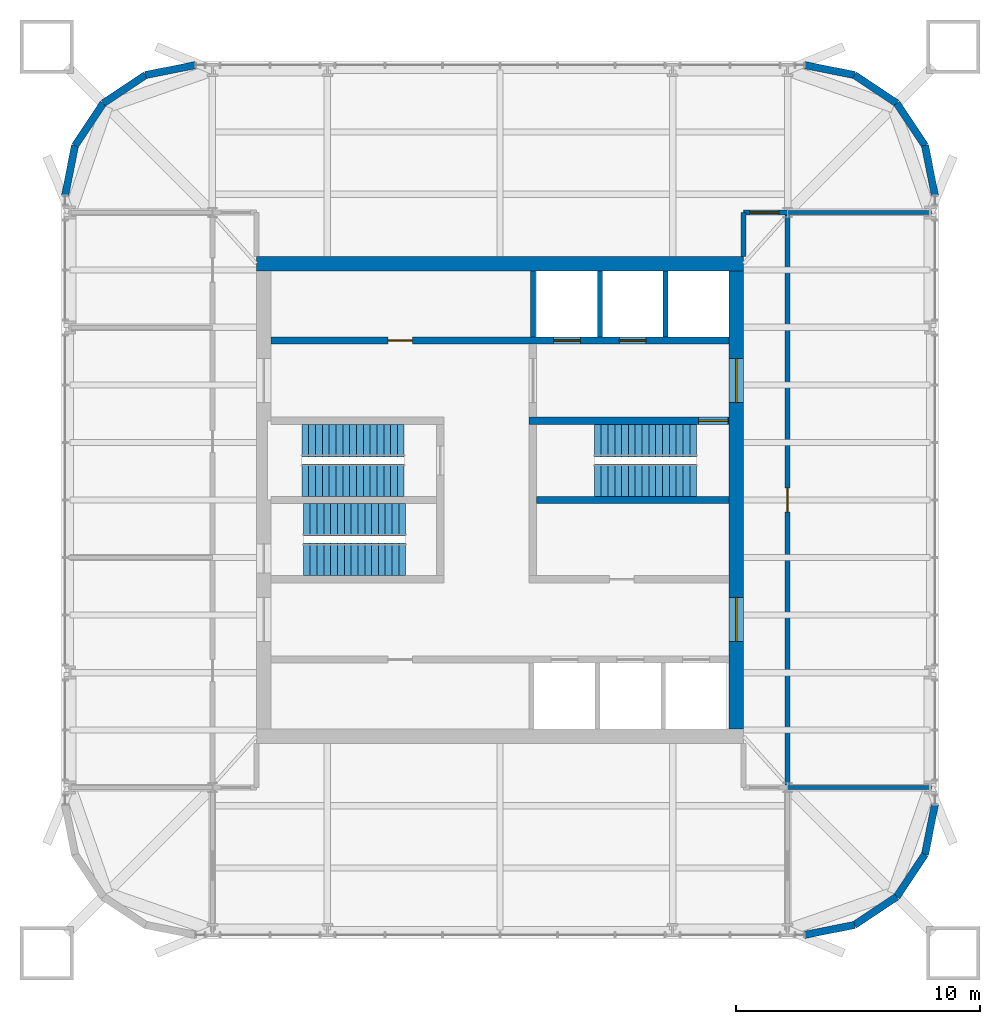
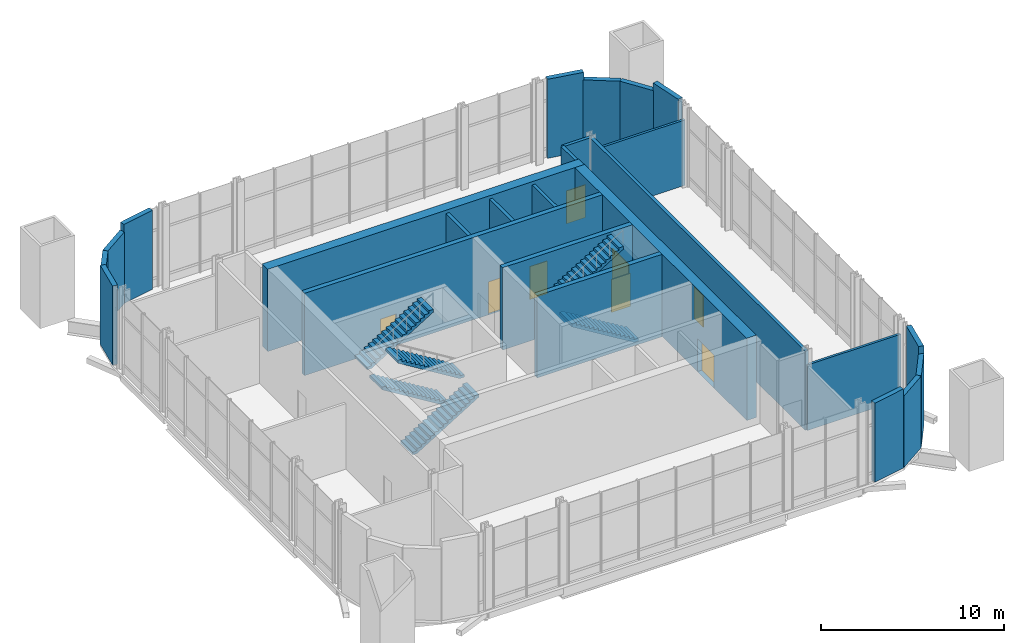
# One storey, part 16 of 17: 25 walls, 8 doors, 6 stair flights, 8 openings, 3 elements without a shape of their own.
"""IFC4 building model written with IfcOpenShell, lengths in metres."""

from ifc_helpers import new_model, si_unit, direction, frame, frame_2d, origin, place, context, subcontext, project, spatial, polyline, rectangle, outline, extrude, material, layer, layer_set, type_object, element, fill, aggregate, save


model = new_model("IFC4")

# Units and contexts
model_context = context("Model", 3, precision=1e-05, world=origin(), true_north=direction((0.0, 1.0)))
body_context = subcontext(model_context, "Body", "Model", "MODEL_VIEW")
ifc_project = project(units=[si_unit("LENGTHUNIT", "METRE"), si_unit("AREAUNIT", "SQUARE_METRE"), si_unit("VOLUMEUNIT", "CUBIC_METRE"), si_unit("PLANEANGLEUNIT", "RADIAN"), si_unit("MASSUNIT", "GRAM", prefix="KILO")], contexts=[model_context])

# Site, building, storey
site_placement = place(None, origin())
site = spatial("IfcSite", under=ifc_project, at=site_placement, CompositionType="ELEMENT")
building_placement = place(site_placement, origin())
building = spatial("IfcBuilding", under=site, at=building_placement, Name="Turquesa Mirador Hotel Tower", CompositionType="ELEMENT")
storey_placement = place(building_placement, frame((0.0, 0.0, 266.699951171875)))
storey = spatial("IfcBuildingStorey", under=building, at=storey_placement, Name="L72", CompositionType="ELEMENT", Elevation=266.699951171875)

# Wall, openings, doors
ifc_material_1 = material(Name="Concrete C50/60", Category="concrete")
ifc_layer_1 = layer(ifc_material_1, 0.300048828125)
ifc_layer_set_1 = layer_set([ifc_layer_1], Name="CORE INNER WALL 300")
wall_type_1 = type_object("IfcWallType", Name="CORE INNER WALL 300", PredefinedType="SHEAR", material=ifc_layer_set_1)
wall_1_placement = place(storey_placement, frame((45.60009765625, 51.550048828125, 0.0), z_axis=(0.0, 0.0, 1.0), x_axis=(1.0, 0.0, 0.0)))
wall_1 = element("IfcWall", 1, at=wall_1_placement, inside=storey, type_object=wall_type_1, Name="Core wall NL", PredefinedType="SHEAR", context=body_context, shape_type="SweptSolid", body=[
    extrude(rectangle(XDim=18.7998046875, YDim=0.300048828125, at=frame_2d((9.39990234375, 0.0))), origin(), (0.0, 0.0, 1.0), 5.5),
])
opening_1_placement = place(wall_1_placement, frame((4.800048828125, 0.0, 0.0)))
opening_1 = element("IfcOpeningElement", 2, at=opening_1_placement, cuts=wall_1, Name="Opening D05", PredefinedType="OPENING", context=body_context, shape_type="SweptSolid", body=[
    extrude(rectangle(XDim=1.0, YDim=2.10009765625, at=frame_2d((0.5, 1.050048828125))), frame((0.0, 0.159912109375, 0.0), z_axis=(0.0, -1.0, 0.0), x_axis=(1.0, 0.0, 0.0)), (0.0, 0.0, 1.0), 0.320068359375),
])
opening_2_placement = place(wall_1_placement, frame((11.60009765625, 0.0, 0.0)))
opening_2 = element("IfcOpeningElement", 3, at=opening_2_placement, cuts=wall_1, Name="Opening LD", PredefinedType="OPENING", context=body_context, shape_type="SweptSolid", body=[
    extrude(rectangle(XDim=1.10009765625, YDim=2.199951171875, at=frame_2d((0.550048828125, 1.10009765625))), frame((0.0, 0.159912109375, 0.0), z_axis=(0.0, -1.0, 0.0), x_axis=(1.0, 0.0, 0.0)), (0.0, 0.0, 1.0), 0.320068359375),
])
opening_3_placement = place(wall_1_placement, frame((14.300048828125, 0.0, 0.0)))
opening_3 = element("IfcOpeningElement", 4, at=opening_3_placement, cuts=wall_1, Name="Opening LD", PredefinedType="OPENING", context=body_context, shape_type="SweptSolid", body=[
    extrude(rectangle(XDim=1.10009765625, YDim=2.199951171875, at=frame_2d((0.550048828125, 1.10009765625))), frame((0.0, 0.159912109375, 0.0), z_axis=(0.0, -1.0, 0.0), x_axis=(1.0, 0.0, 0.0)), (0.0, 0.0, 1.0), 0.320068359375),
])
ifc_material_2 = material(Name="Steel fire door", Category="steel")
door_type_1 = type_object("IfcDoorType", Name="DOOR 1000X2100 SERVICE", OperationType="SINGLE_SWING_LEFT", PredefinedType="DOOR", material=ifc_material_2)
door_1_placement = place(opening_1_placement, origin())
door_1 = element("IfcDoor", 5, at=door_1_placement, inside=storey, type_object=door_type_1, Name="Linen store door", OperationType="SINGLE_SWING_LEFT", OverallHeight=2.10009765625, OverallWidth=1.0, PredefinedType="DOOR", context=body_context, shape_type="SweptSolid", body=[
    extrude(rectangle(XDim=1.0, YDim=2.10009765625, at=frame_2d((0.5, 1.050048828125))), frame((0.0, 0.02490234375, 0.0), z_axis=(0.0, -1.0, 0.0), x_axis=(1.0, 0.0, 0.0)), (0.0, 0.0, 1.0), 0.050048828125),
])
fill(opening_1, door_1)
ifc_material_3 = material(Name="Stainless steel lift landing door", Category="steel")
door_type_2 = type_object("IfcDoorType", Name="LIFT LANDING DOOR 1100X2200", OperationType="SLIDING_TO_LEFT", PredefinedType="DOOR", material=ifc_material_3)
door_2_placement = place(opening_2_placement, origin())
door_2 = element("IfcDoor", 6, at=door_2_placement, inside=storey, type_object=door_type_2, Name="Lift S1 landing door", OperationType="SLIDING_TO_LEFT", OverallHeight=2.199951171875, OverallWidth=1.10009765625, PredefinedType="DOOR", context=body_context, shape_type="SweptSolid", body=[
    extrude(rectangle(XDim=1.10009765625, YDim=2.199951171875, at=frame_2d((0.550048828125, 1.10009765625))), frame((0.0, 0.02490234375, 0.0), z_axis=(0.0, -1.0, 0.0), x_axis=(1.0, 0.0, 0.0)), (0.0, 0.0, 1.0), 0.050048828125),
])
fill(opening_2, door_2)
door_3_placement = place(opening_3_placement, origin())
door_3 = element("IfcDoor", 7, at=door_3_placement, inside=storey, type_object=door_type_2, Name="Lift S2 landing door", OperationType="SLIDING_TO_LEFT", OverallHeight=2.199951171875, OverallWidth=1.10009765625, PredefinedType="DOOR", context=body_context, shape_type="SweptSolid", body=[
    extrude(rectangle(XDim=1.10009765625, YDim=2.199951171875, at=frame_2d((0.550048828125, 1.10009765625))), frame((0.0, 0.02490234375, 0.0), z_axis=(0.0, -1.0, 0.0), x_axis=(1.0, 0.0, 0.0)), (0.0, 0.0, 1.0), 0.050048828125),
])
fill(opening_3, door_3)

# Wall, opening, door
wall_2_placement = place(storey_placement, frame((56.199951171875, 48.25, 0.0), z_axis=(0.0, 0.0, 1.0), x_axis=(1.0, 0.0, 0.0)))
wall_2 = element("IfcWall", 8, at=wall_2_placement, inside=storey, type_object=wall_type_1, Name="Core wall MN-E", PredefinedType="SHEAR", context=body_context, shape_type="SweptSolid", body=[
    extrude(rectangle(XDim=8.199951171875, YDim=0.300048828125, at=frame_2d((4.10009765625, 0.0))), origin(), (0.0, 0.0, 1.0), 5.5),
])
opening_4_placement = place(wall_2_placement, frame((6.949951171875, 0.0, 0.0)))
opening_4 = element("IfcOpeningElement", 9, at=opening_4_placement, cuts=wall_2, Name="Opening D03", PredefinedType="OPENING", context=body_context, shape_type="SweptSolid", body=[
    extrude(rectangle(XDim=1.199951171875, YDim=2.199951171875, at=frame_2d((0.60009765625, 1.10009765625))), frame((0.0, 0.159912109375, 0.0), z_axis=(0.0, -1.0, 0.0), x_axis=(1.0, 0.0, 0.0)), (0.0, 0.0, 1.0), 0.320068359375),
])
ifc_material_4 = material(Name="Steel fire door", Category="steel")
door_type_3 = type_object("IfcDoorType", Name="DOOR 1200X2200 STAIR", OperationType="SINGLE_SWING_LEFT", PredefinedType="DOOR", material=ifc_material_4)
door_4_placement = place(opening_4_placement, origin())
door_4 = element("IfcDoor", 10, at=door_4_placement, inside=storey, type_object=door_type_3, Name="Stair ST3 door", OperationType="SINGLE_SWING_LEFT", OverallHeight=2.199951171875, OverallWidth=1.199951171875, PredefinedType="DOOR", context=body_context, shape_type="SweptSolid", body=[
    extrude(rectangle(XDim=1.199951171875, YDim=2.199951171875, at=frame_2d((0.60009765625, 1.10009765625))), frame((0.0, 0.02490234375, 0.0), z_axis=(0.0, -1.0, 0.0), x_axis=(1.0, 0.0, 0.0)), (0.0, 0.0, 1.0), 0.050048828125),
])
fill(opening_4, door_4)

# Walls
wall_3_placement = place(storey_placement, frame((56.5, 45.0, 0.0), z_axis=(0.0, 0.0, 1.0), x_axis=(1.0, 0.0, 0.0)))
element("IfcWall", 11, at=wall_3_placement, inside=storey, type_object=wall_type_1, Name="Core wall M0-E", PredefinedType="SHEAR", context=body_context, shape_type="SweptSolid", body=[
    extrude(rectangle(XDim=7.89990234375, YDim=0.300048828125, at=frame_2d((3.949951171875, 0.0))), origin(), (0.0, 0.0, 1.0), 5.5),
])
ifc_material_5 = material(Name="Concrete C50/60", Category="concrete")
ifc_layer_2 = layer(ifc_material_5, 0.60009765625)
ifc_layer_set_2 = layer_set([ifc_layer_2], Name="CORE WALL 600")
wall_type_2 = type_object("IfcWallType", Name="CORE WALL 600", PredefinedType="SHEAR", material=ifc_layer_set_2)
wall_4_placement = place(storey_placement, frame((45.0, 54.699951171875, 0.0), z_axis=(0.0, 0.0, 1.0), x_axis=(1.0, 0.0, 0.0)))
element("IfcWall", 12, at=wall_4_placement, inside=storey, type_object=wall_type_2, Name="Core wall N", PredefinedType="SHEAR", context=body_context, shape_type="SweptSolid", body=[
    extrude(rectangle(XDim=20.0, YDim=0.60009765625, at=frame_2d((10.0, 0.0))), origin(), (0.0, 0.0, 1.0), 5.5),
])

# Wall, openings, doors
wall_5_placement = place(storey_placement, frame((64.699951171875, 35.60009765625, 0.0), z_axis=(0.0, 0.0, 1.0), x_axis=(0.0, 1.0, 0.0)))
wall_5 = element("IfcWall", 13, at=wall_5_placement, inside=storey, type_object=wall_type_2, Name="Core wall E", PredefinedType="SHEAR", context=body_context, shape_type="SweptSolid", body=[
    extrude(rectangle(XDim=18.7998046875, YDim=0.60009765625, at=frame_2d((9.39990234375, 0.0))), origin(), (0.0, 0.0, 1.0), 5.5),
])
opening_5_placement = place(wall_5_placement, frame((13.39990234375, 0.0, 0.0)))
opening_5 = element("IfcOpeningElement", 14, at=opening_5_placement, cuts=wall_5, Name="Opening D04", PredefinedType="OPENING", context=body_context, shape_type="SweptSolid", body=[
    extrude(rectangle(XDim=1.800048828125, YDim=2.199951171875, at=frame_2d((0.89990234375, 1.10009765625))), frame((0.0, 0.31005859375, 0.0), z_axis=(0.0, -1.0, 0.0), x_axis=(1.0, 0.0, 0.0)), (0.0, 0.0, 1.0), 0.6201171875),
])
opening_6_placement = place(wall_5_placement, frame((3.60009765625, 0.0, 0.0)))
opening_6 = element("IfcOpeningElement", 15, at=opening_6_placement, cuts=wall_5, Name="Opening D04", PredefinedType="OPENING", context=body_context, shape_type="SweptSolid", body=[
    extrude(rectangle(XDim=1.800048828125, YDim=2.199951171875, at=frame_2d((0.89990234375, 1.10009765625))), frame((0.0, 0.31005859375, 0.0), z_axis=(0.0, -1.0, 0.0), x_axis=(1.0, 0.0, 0.0)), (0.0, 0.0, 1.0), 0.6201171875),
])
ifc_material_6 = material(Name="Steel fire door pair", Category="steel")
door_type_4 = type_object("IfcDoorType", Name="DOOR 1800X2200 PAIR", OperationType="DOUBLE_DOOR_SINGLE_SWING", PredefinedType="DOOR", material=ifc_material_6)
door_5_placement = place(opening_5_placement, origin())
door_5 = element("IfcDoor", 16, at=door_5_placement, inside=storey, type_object=door_type_4, Name="Firefighting lobby door", OperationType="DOUBLE_DOOR_SINGLE_SWING", OverallHeight=2.199951171875, OverallWidth=1.800048828125, PredefinedType="DOOR", context=body_context, shape_type="SweptSolid", body=[
    extrude(rectangle(XDim=1.800048828125, YDim=2.199951171875, at=frame_2d((0.89990234375, 1.10009765625))), frame((0.0, 0.02490234375, 0.0), z_axis=(0.0, -1.0, 0.0), x_axis=(1.0, 0.0, 0.0)), (0.0, 0.0, 1.0), 0.050048828125),
])
fill(opening_5, door_5)
door_6_placement = place(opening_6_placement, origin())
door_6 = element("IfcDoor", 17, at=door_6_placement, inside=storey, type_object=door_type_4, Name="South lift lobby door", OperationType="DOUBLE_DOOR_SINGLE_SWING", OverallHeight=2.199951171875, OverallWidth=1.800048828125, PredefinedType="DOOR", context=body_context, shape_type="SweptSolid", body=[
    extrude(rectangle(XDim=1.800048828125, YDim=2.199951171875, at=frame_2d((0.89990234375, 1.10009765625))), frame((0.0, 0.02490234375, 0.0), z_axis=(0.0, -1.0, 0.0), x_axis=(1.0, 0.0, 0.0)), (0.0, 0.0, 1.0), 0.050048828125),
])
fill(opening_6, door_6)

# Wall, opening, door
ifc_material_7 = material(Name="Fire-rated gypsum board on steel studs", Category="steel")
ifc_layer_3 = layer(ifc_material_7, 0.199951171875)
ifc_layer_set_3 = layer_set([ifc_layer_3], Name="CORRIDOR WALL 200")
wall_type_3 = type_object("IfcWallType", Name="CORRIDOR WALL 200", PredefinedType="PARTITIONING", material=ifc_layer_set_3)
wall_6_placement = place(storey_placement, frame((65.0, 56.800048828125, 0.0), z_axis=(0.0, 0.0, 1.0), x_axis=(1.0, 0.0, 0.0)))
wall_6 = element("IfcWall", 18, at=wall_6_placement, inside=storey, type_object=wall_type_3, Name="Partition L72 007", PredefinedType="PARTITIONING", context=body_context, shape_type="SweptSolid", body=[
    extrude(rectangle(XDim=1.800048828125, YDim=0.199951171875, at=frame_2d((0.89990234375, 0.0))), origin(), (0.0, 0.0, 1.0), 5.280029296875),
])
opening_7_placement = place(wall_6_placement, frame((0.25, 0.0, 0.0)))
opening_7 = element("IfcOpeningElement", 19, at=opening_7_placement, cuts=wall_6, Name="Opening D19", PredefinedType="OPENING", context=body_context, shape_type="SweptSolid", body=[
    extrude(rectangle(XDim=1.199951171875, YDim=2.199951171875, at=frame_2d((0.60009765625, 1.10009765625))), frame((0.0, 0.10986328125, 0.0), z_axis=(0.0, -1.0, 0.0), x_axis=(1.0, 0.0, 0.0)), (0.0, 0.0, 1.0), 0.219970703125),
])
ifc_material_8 = material(Name="Steel glazed fire door", Category="steel")
door_type_5 = type_object("IfcDoorType", Name="DOOR 1200X2200 FIRE DOOR GLAZED", OperationType="SINGLE_SWING_LEFT", PredefinedType="DOOR", material=ifc_material_8)
door_7_placement = place(opening_7_placement, origin())
door_7 = element("IfcDoor", 20, at=door_7_placement, inside=storey, type_object=door_type_5, Name="Door L72-01-1", OperationType="SINGLE_SWING_LEFT", OverallHeight=2.199951171875, OverallWidth=1.199951171875, PredefinedType="DOOR", context=body_context, shape_type="SweptSolid", body=[
    extrude(rectangle(XDim=1.199951171875, YDim=2.199951171875, at=frame_2d((0.60009765625, 1.10009765625))), frame((0.0, 0.02490234375, 0.0), z_axis=(0.0, -1.0, 0.0), x_axis=(1.0, 0.0, 0.0)), (0.0, 0.0, 1.0), 0.050048828125),
])
fill(opening_7, door_7)

# Wall
wall_7_placement = place(storey_placement, frame((65.0, 55.0, 0.0), z_axis=(0.0, 0.0, 1.0), x_axis=(0.0, 1.0, 0.0)))
element("IfcWall", 21, at=wall_7_placement, inside=storey, type_object=wall_type_3, Name="Partition L72 016", PredefinedType="PARTITIONING", context=body_context, shape_type="SweptSolid", body=[
    extrude(rectangle(XDim=1.800048828125, YDim=0.199951171875, at=frame_2d((0.89990234375, 0.0))), origin(), (0.0, 0.0, 1.0), 5.280029296875),
])

# Wall, opening, door
wall_8_placement = place(storey_placement, frame((66.800048828125, 33.199951171875, 0.0), z_axis=(0.0, 0.0, 1.0), x_axis=(0.0, 1.0, 0.0)))
wall_8 = element("IfcWall", 22, at=wall_8_placement, inside=storey, type_object=wall_type_3, Name="Partition L72 017", PredefinedType="PARTITIONING", context=body_context, shape_type="SweptSolid", body=[
    extrude(rectangle(XDim=23.60009765625, YDim=0.199951171875, at=frame_2d((11.800048828125, 0.0))), origin(), (0.0, 0.0, 1.0), 5.280029296875),
])
opening_8_placement = place(wall_8_placement, frame((11.300048828125, 0.0, 0.0)))
opening_8 = element("IfcOpeningElement", 23, at=opening_8_placement, cuts=wall_8, Name="Opening D05", PredefinedType="OPENING", context=body_context, shape_type="SweptSolid", body=[
    extrude(rectangle(XDim=1.0, YDim=2.10009765625, at=frame_2d((0.5, 1.050048828125))), frame((0.0, 0.10986328125, 0.0), z_axis=(0.0, -1.0, 0.0), x_axis=(1.0, 0.0, 0.0)), (0.0, 0.0, 1.0), 0.219970703125),
])
door_8_placement = place(opening_8_placement, origin())
door_8 = element("IfcDoor", 24, at=door_8_placement, inside=storey, type_object=door_type_1, Name="Door L72-05", OperationType="SINGLE_SWING_LEFT", OverallHeight=2.10009765625, OverallWidth=1.0, PredefinedType="DOOR", context=body_context, shape_type="SweptSolid", body=[
    extrude(rectangle(XDim=1.0, YDim=2.10009765625, at=frame_2d((0.5, 1.050048828125))), frame((0.0, 0.02490234375, 0.0), z_axis=(0.0, -1.0, 0.0), x_axis=(1.0, 0.0, 0.0)), (0.0, 0.0, 1.0), 0.050048828125),
])
fill(opening_8, door_8)

# Walls
ifc_material_9 = material(Name="Limestone cladding on concrete block", Category="masonry")
ifc_layer_4 = layer(ifc_material_9, 0.300048828125)
ifc_layer_set_4 = layer_set([ifc_layer_4], Name="FACADE WALL 300 STONE PIER")
wall_type_4 = type_object("IfcWallType", Name="FACADE WALL 300 STONE PIER", PredefinedType="SOLIDWALL", material=ifc_layer_set_4)
wall_9_placement = place(storey_placement, frame((67.5, 27.14990234375, 0.0), z_axis=(0.0, 0.0, 1.0), x_axis=(0.980787050784, 0.195081421501, 0.0)))
element("IfcWall", 25, at=wall_9_placement, inside=storey, type_object=wall_type_4, Name="Facade wall L72 bay CWO-L72-00 00", PredefinedType="SOLIDWALL", context=body_context, shape_type="SweptSolid", body=[
    extrude(rectangle(XDim=2.08740234375, YDim=0.300048828125, at=frame_2d((1.043701171875, 0.0))), origin(), (0.0, 0.0, 1.0), 5.280029296875),
])
for number, where, z_axis, x_axis, name in (
    (26, (69.54736328125, 27.55712890625, 0.0), (0.0, 0.0, 1.0), (0.831420010345, 0.555644460423, 0.0), "Facade wall L72 bay CWO-L72-00 01"),
    (27, (71.282958984375, 28.717041015625, 0.0), (0.0, 0.0, 1.0), (0.555644460423, 0.831420010345, 0.0), "Facade wall L72 bay CWO-L72-00 02"),
):
    element("IfcWall", number, at=place(storey_placement, frame(where, z_axis=z_axis, x_axis=x_axis)), inside=storey, type_object=wall_type_4, Name=name, PredefinedType="SOLIDWALL", context=body_context, shape_type="SweptSolid", body=[
        extrude(rectangle(XDim=2.08740234375, YDim=0.300048828125, at=frame_2d((1.043701171875, 0.0))), origin(), (0.0, 0.0, 1.0), 4.780029296875),
    ])
for number, where, z_axis, x_axis, name in (
    (28, (72.44287109375, 30.45263671875, 0.0), (0.0, 0.0, 1.0), (0.195081421501, 0.980787050784, 0.0), "Facade wall L72 bay CWO-L72-00 03"),
    (29, (72.85009765625, 57.5, 0.0), (0.0, 0.0, 1.0), (-0.195081421501, 0.980787050784, 0.0), "Facade wall L72 bay CWO-L72-02 00"),
):
    element("IfcWall", number, at=place(storey_placement, frame(where, z_axis=z_axis, x_axis=x_axis)), inside=storey, type_object=wall_type_4, Name=name, PredefinedType="SOLIDWALL", context=body_context, shape_type="SweptSolid", body=[
        extrude(rectangle(XDim=2.08740234375, YDim=0.300048828125, at=frame_2d((1.043701171875, 0.0))), origin(), (0.0, 0.0, 1.0), 5.280029296875),
    ])
for number, where, z_axis, x_axis, name in (
    (30, (72.44287109375, 59.54736328125, 0.0), (0.0, 0.0, 1.0), (-0.555644460423, 0.831420010345, 0.0), "Facade wall L72 bay CWO-L72-02 01"),
    (31, (71.282958984375, 61.282958984375, 0.0), (0.0, 0.0, 1.0), (-0.831420010345, 0.555644460423, 0.0), "Facade wall L72 bay CWO-L72-02 02"),
):
    element("IfcWall", number, at=place(storey_placement, frame(where, z_axis=z_axis, x_axis=x_axis)), inside=storey, type_object=wall_type_4, Name=name, PredefinedType="SOLIDWALL", context=body_context, shape_type="SweptSolid", body=[
        extrude(rectangle(XDim=2.08740234375, YDim=0.300048828125, at=frame_2d((1.043701171875, 0.0))), origin(), (0.0, 0.0, 1.0), 4.780029296875),
    ])
for number, where, z_axis, x_axis, name in (
    (32, (69.54736328125, 62.44287109375, 0.0), (0.0, 0.0, 1.0), (-0.980787050784, 0.195081421501, 0.0), "Facade wall L72 bay CWO-L72-02 03"),
    (33, (42.5, 62.85009765625, 0.0), (0.0, 0.0, 1.0), (-0.980787050784, -0.195081421501, 0.0), "Facade wall L72 bay CWO-L72-04 00"),
):
    element("IfcWall", number, at=place(storey_placement, frame(where, z_axis=z_axis, x_axis=x_axis)), inside=storey, type_object=wall_type_4, Name=name, PredefinedType="SOLIDWALL", context=body_context, shape_type="SweptSolid", body=[
        extrude(rectangle(XDim=2.08740234375, YDim=0.300048828125, at=frame_2d((1.043701171875, 0.0))), origin(), (0.0, 0.0, 1.0), 5.280029296875),
    ])
for number, where, z_axis, x_axis, name in (
    (34, (40.45263671875, 62.44287109375, 0.0), (0.0, 0.0, 1.0), (-0.831420010345, -0.555644460423, 0.0), "Facade wall L72 bay CWO-L72-04 01"),
    (35, (38.717041015625, 61.282958984375, 0.0), (0.0, 0.0, 1.0), (-0.555644460423, -0.831420010345, 0.0), "Facade wall L72 bay CWO-L72-04 02"),
):
    element("IfcWall", number, at=place(storey_placement, frame(where, z_axis=z_axis, x_axis=x_axis)), inside=storey, type_object=wall_type_4, Name=name, PredefinedType="SOLIDWALL", context=body_context, shape_type="SweptSolid", body=[
        extrude(rectangle(XDim=2.08740234375, YDim=0.300048828125, at=frame_2d((1.043701171875, 0.0))), origin(), (0.0, 0.0, 1.0), 4.780029296875),
    ])
wall_10_placement = place(storey_placement, frame((37.55712890625, 59.54736328125, 0.0), z_axis=(0.0, 0.0, 1.0), x_axis=(-0.195081421501, -0.980787050784, 0.0)))
element("IfcWall", 36, at=wall_10_placement, inside=storey, type_object=wall_type_4, Name="Facade wall L72 bay CWO-L72-04 03", PredefinedType="SOLIDWALL", context=body_context, shape_type="SweptSolid", body=[
    extrude(rectangle(XDim=2.08740234375, YDim=0.300048828125, at=frame_2d((1.043701171875, 0.0))), origin(), (0.0, 0.0, 1.0), 5.280029296875),
])
ifc_material_10 = material(Name="Fire-rated gypsum shaft wall on steel studs", Category="steel")
ifc_layer_5 = layer(ifc_material_10, 0.199951171875)
ifc_layer_set_5 = layer_set([ifc_layer_5], Name="LIFT SHAFT DIVIDER 200")
wall_type_5 = type_object("IfcWallType", Name="LIFT SHAFT DIVIDER 200", PredefinedType="PARTITIONING", material=ifc_layer_set_5)
for number, where, z_axis, x_axis, name in (
    (37, (59.10009765625, 51.699951171875, 0.0), (0.0, 0.0, 1.0), (0.0, 1.0, 0.0), "Lift shaft divider"),
    (38, (61.800048828125, 51.699951171875, 0.0), (0.0, 0.0, 1.0), (0.0, 1.0, 0.0), "Lift shaft divider"),
    (39, (56.35009765625, 51.699951171875, 0.0), (0.0, 0.0, 1.0), (0.0, 1.0, 0.0), "Lift shaft divider"),
):
    element("IfcWall", number, at=place(storey_placement, frame(where, z_axis=z_axis, x_axis=x_axis)), inside=storey, type_object=wall_type_5, Name=name, PredefinedType="PARTITIONING", context=body_context, shape_type="SweptSolid", body=[
        extrude(rectangle(XDim=2.699951171875, YDim=0.199951171875, at=frame_2d((1.35009765625, 0.0))), origin(), (0.0, 0.0, 1.0), 5.280029296875),
    ])
ifc_material_11 = material(Name="Gypsum board on steel studs", Category="steel")
ifc_layer_6 = layer(ifc_material_11, 0.14990234375)
ifc_layer_set_6 = layer_set([ifc_layer_6], Name="PARTITION 150")
wall_type_6 = type_object("IfcWallType", Name="PARTITION 150", PredefinedType="PARTITIONING", material=ifc_layer_set_6)
for number, where, z_axis, x_axis, name in (
    (40, (66.800048828125, 33.199951171875, 0.0), (0.0, 0.0, 1.0), (1.0, 0.0, 0.0), "Partition L72 004"),
    (41, (66.800048828125, 56.800048828125, 0.0), (0.0, 0.0, 1.0), (1.0, 0.0, 0.0), "Partition L72 009"),
):
    element("IfcWall", number, at=place(storey_placement, frame(where, z_axis=z_axis, x_axis=x_axis)), inside=storey, type_object=wall_type_6, Name=name, PredefinedType="PARTITIONING", context=body_context, shape_type="SweptSolid", body=[
        extrude(rectangle(XDim=5.89990234375, YDim=0.14990234375, at=frame_2d((2.949951171875, 0.0))), origin(), (0.0, 0.0, 1.0), 4.3681640625),
    ])

# Stair, stair flights
ifc_material_12 = material(Name="Concrete C35/45", Category="concrete")
stair_type = type_object("IfcStairType", Name="ESCAPE STAIR CORE", PredefinedType="HALF_TURN_STAIR", material=ifc_material_12)
stair_1_placement = place(storey_placement, origin())
stair_1 = element("IfcStair", 42, at=stair_1_placement, inside=storey, type_object=stair_type, Name="Stair ST1 L72 to RF", PredefinedType="HALF_TURN_STAIR")
ifc_material_13 = material(Name="Concrete C35/45 precast flight", Category="concrete")
stair_flight_type = type_object("IfcStairFlightType", Name="STAIR FLIGHT 1330", PredefinedType="STRAIGHT", material=ifc_material_13)
stair_flight_1_placement = place(storey_placement, frame((51.070068359375, 45.81494140625, 0.0), z_axis=(0.0, 0.0, 1.0), x_axis=(-1.0, 0.0, 0.0)))
stair_flight_1 = element("IfcStairFlight", 43, at=stair_flight_1_placement, type_object=stair_flight_type, Name="ST1 flight 1", NumberOfRisers=16, NumberOfTreads=15, PredefinedType="STRAIGHT", RiserHeight=0.171875, TreadLength=0.28, context=body_context, shape_type="SweptSolid", body=[
    extrude(outline(polyline([(0.0, 0.0), (0.0, 0.171875), (0.280029296875, 0.171875), (0.280029296875, 0.34375), (0.56005859375, 0.34375), (0.56005859375, 0.515625), (0.840087890625, 0.515625), (0.840087890625, 0.6875), (1.1201171875, 0.6875), (1.1201171875, 0.859375), (1.39990234375, 0.859375), (1.39990234375, 1.03125), (1.679931640625, 1.03125), (1.679931640625, 1.203125), (1.9599609375, 1.203125), (1.9599609375, 1.375), (2.239990234375, 1.375), (2.239990234375, 1.546875), (2.52001953125, 1.546875), (2.52001953125, 1.71875), (2.800048828125, 1.71875), (2.800048828125, 1.890625), (3.080078125, 1.890625), (3.080078125, 2.0625), (3.360107421875, 2.0625), (3.360107421875, 2.234375), (3.639892578125, 2.234375), (3.639892578125, 2.40625), (3.919921875, 2.40625), (3.919921875, 2.578125), (4.199951171875, 2.578125), (4.199951171875, 2.75), (4.199951171875, 2.40234375), (0.28662109375, 0.0), (0.0, 0.0)])), frame((0.0, 0.6650390625, 0.0), z_axis=(0.0, -1.0, 0.0), x_axis=(1.0, 0.0, 0.0)), (0.0, 0.0, 1.0), 1.330078125),
])
stair_flight_2_placement = place(storey_placement, frame((46.8701171875, 47.43505859375, 2.75), z_axis=(0.0, 0.0, 1.0), x_axis=(1.0, 0.0, 0.0)))
stair_flight_2 = element("IfcStairFlight", 44, at=stair_flight_2_placement, type_object=stair_flight_type, Name="ST1 flight 2", NumberOfRisers=16, NumberOfTreads=15, PredefinedType="STRAIGHT", RiserHeight=0.171875, TreadLength=0.28, context=body_context, shape_type="SweptSolid", body=[
    extrude(outline(polyline([(0.0, 0.0), (0.0, 0.171875), (0.280029296875, 0.171875), (0.280029296875, 0.34375), (0.56005859375, 0.34375), (0.56005859375, 0.515625), (0.840087890625, 0.515625), (0.840087890625, 0.6875), (1.1201171875, 0.6875), (1.1201171875, 0.859375), (1.39990234375, 0.859375), (1.39990234375, 1.03125), (1.679931640625, 1.03125), (1.679931640625, 1.203125), (1.9599609375, 1.203125), (1.9599609375, 1.375), (2.239990234375, 1.375), (2.239990234375, 1.546875), (2.52001953125, 1.546875), (2.52001953125, 1.71875), (2.800048828125, 1.71875), (2.800048828125, 1.890625), (3.080078125, 1.890625), (3.080078125, 2.0625), (3.360107421875, 2.0625), (3.360107421875, 2.234375), (3.639892578125, 2.234375), (3.639892578125, 2.40625), (3.919921875, 2.40625), (3.919921875, 2.578125), (4.199951171875, 2.578125), (4.199951171875, 2.75), (4.199951171875, 2.40234375), (0.28662109375, 0.0), (0.0, 0.0)])), frame((0.0, 0.6650390625, 0.0), z_axis=(0.0, -1.0, 0.0), x_axis=(1.0, 0.0, 0.0)), (0.0, 0.0, 1.0), 1.330078125),
])
aggregate(stair_1, [stair_flight_1, stair_flight_2])

stair_2_placement = place(storey_placement, origin())
stair_2 = element("IfcStair", 45, at=stair_2_placement, inside=storey, type_object=stair_type, Name="Stair ST2 L72 to RF", PredefinedType="HALF_TURN_STAIR")
stair_flight_3_placement = place(storey_placement, frame((46.929931640625, 42.56494140625, 0.0), z_axis=(0.0, 0.0, 1.0), x_axis=(1.0, 0.0, 0.0)))
stair_flight_3 = element("IfcStairFlight", 46, at=stair_flight_3_placement, type_object=stair_flight_type, Name="ST2 flight 1", NumberOfRisers=16, NumberOfTreads=15, PredefinedType="STRAIGHT", RiserHeight=0.171875, TreadLength=0.28, context=body_context, shape_type="SweptSolid", body=[
    extrude(outline(polyline([(0.0, 0.0), (0.0, 0.171875), (0.280029296875, 0.171875), (0.280029296875, 0.34375), (0.56005859375, 0.34375), (0.56005859375, 0.515625), (0.840087890625, 0.515625), (0.840087890625, 0.6875), (1.1201171875, 0.6875), (1.1201171875, 0.859375), (1.39990234375, 0.859375), (1.39990234375, 1.03125), (1.679931640625, 1.03125), (1.679931640625, 1.203125), (1.9599609375, 1.203125), (1.9599609375, 1.375), (2.239990234375, 1.375), (2.239990234375, 1.546875), (2.52001953125, 1.546875), (2.52001953125, 1.71875), (2.800048828125, 1.71875), (2.800048828125, 1.890625), (3.080078125, 1.890625), (3.080078125, 2.0625), (3.360107421875, 2.0625), (3.360107421875, 2.234375), (3.639892578125, 2.234375), (3.639892578125, 2.40625), (3.919921875, 2.40625), (3.919921875, 2.578125), (4.199951171875, 2.578125), (4.199951171875, 2.75), (4.199951171875, 2.40234375), (0.28662109375, 0.0), (0.0, 0.0)])), frame((0.0, 0.6650390625, 0.0), z_axis=(0.0, -1.0, 0.0), x_axis=(1.0, 0.0, 0.0)), (0.0, 0.0, 1.0), 1.330078125),
])
stair_flight_4_placement = place(storey_placement, frame((51.1298828125, 44.18505859375, 2.75), z_axis=(0.0, 0.0, 1.0), x_axis=(-1.0, 0.0, 0.0)))
stair_flight_4 = element("IfcStairFlight", 47, at=stair_flight_4_placement, type_object=stair_flight_type, Name="ST2 flight 2", NumberOfRisers=16, NumberOfTreads=15, PredefinedType="STRAIGHT", RiserHeight=0.171875, TreadLength=0.28, context=body_context, shape_type="SweptSolid", body=[
    extrude(outline(polyline([(0.0, 0.0), (0.0, 0.171875), (0.280029296875, 0.171875), (0.280029296875, 0.34375), (0.56005859375, 0.34375), (0.56005859375, 0.515625), (0.840087890625, 0.515625), (0.840087890625, 0.6875), (1.1201171875, 0.6875), (1.1201171875, 0.859375), (1.39990234375, 0.859375), (1.39990234375, 1.03125), (1.679931640625, 1.03125), (1.679931640625, 1.203125), (1.9599609375, 1.203125), (1.9599609375, 1.375), (2.239990234375, 1.375), (2.239990234375, 1.546875), (2.52001953125, 1.546875), (2.52001953125, 1.71875), (2.800048828125, 1.71875), (2.800048828125, 1.890625), (3.080078125, 1.890625), (3.080078125, 2.0625), (3.360107421875, 2.0625), (3.360107421875, 2.234375), (3.639892578125, 2.234375), (3.639892578125, 2.40625), (3.919921875, 2.40625), (3.919921875, 2.578125), (4.199951171875, 2.578125), (4.199951171875, 2.75), (4.199951171875, 2.40234375), (0.28662109375, 0.0), (0.0, 0.0)])), frame((0.0, 0.6650390625, 0.0), z_axis=(0.0, -1.0, 0.0), x_axis=(1.0, 0.0, 0.0)), (0.0, 0.0, 1.0), 1.330078125),
])
aggregate(stair_2, [stair_flight_3, stair_flight_4])

stair_3_placement = place(storey_placement, origin())
stair_3 = element("IfcStair", 48, at=stair_3_placement, inside=storey, type_object=stair_type, Name="Stair ST3 L72 to RF", PredefinedType="HALF_TURN_STAIR")
stair_flight_5_placement = place(storey_placement, frame((63.070068359375, 45.81494140625, 0.0), z_axis=(0.0, 0.0, 1.0), x_axis=(-1.0, 0.0, 0.0)))
stair_flight_5 = element("IfcStairFlight", 49, at=stair_flight_5_placement, type_object=stair_flight_type, Name="ST3 flight 1", NumberOfRisers=16, NumberOfTreads=15, PredefinedType="STRAIGHT", RiserHeight=0.171875, TreadLength=0.28, context=body_context, shape_type="SweptSolid", body=[
    extrude(outline(polyline([(0.0, 0.0), (0.0, 0.171875), (0.280029296875, 0.171875), (0.280029296875, 0.34375), (0.56005859375, 0.34375), (0.56005859375, 0.515625), (0.840087890625, 0.515625), (0.840087890625, 0.6875), (1.1201171875, 0.6875), (1.1201171875, 0.859375), (1.39990234375, 0.859375), (1.39990234375, 1.03125), (1.679931640625, 1.03125), (1.679931640625, 1.203125), (1.9599609375, 1.203125), (1.9599609375, 1.375), (2.239990234375, 1.375), (2.239990234375, 1.546875), (2.52001953125, 1.546875), (2.52001953125, 1.71875), (2.800048828125, 1.71875), (2.800048828125, 1.890625), (3.080078125, 1.890625), (3.080078125, 2.0625), (3.360107421875, 2.0625), (3.360107421875, 2.234375), (3.639892578125, 2.234375), (3.639892578125, 2.40625), (3.919921875, 2.40625), (3.919921875, 2.578125), (4.199951171875, 2.578125), (4.199951171875, 2.75), (4.199951171875, 2.40234375), (0.28662109375, 0.0), (0.0, 0.0)])), frame((0.0, 0.6650390625, 0.0), z_axis=(0.0, -1.0, 0.0), x_axis=(1.0, 0.0, 0.0)), (0.0, 0.0, 1.0), 1.330078125),
])
stair_flight_6_placement = place(storey_placement, frame((58.8701171875, 47.43505859375, 2.75), z_axis=(0.0, 0.0, 1.0), x_axis=(1.0, 0.0, 0.0)))
stair_flight_6 = element("IfcStairFlight", 50, at=stair_flight_6_placement, type_object=stair_flight_type, Name="ST3 flight 2", NumberOfRisers=16, NumberOfTreads=15, PredefinedType="STRAIGHT", RiserHeight=0.171875, TreadLength=0.28, context=body_context, shape_type="SweptSolid", body=[
    extrude(outline(polyline([(0.0, 0.0), (0.0, 0.171875), (0.280029296875, 0.171875), (0.280029296875, 0.34375), (0.56005859375, 0.34375), (0.56005859375, 0.515625), (0.840087890625, 0.515625), (0.840087890625, 0.6875), (1.1201171875, 0.6875), (1.1201171875, 0.859375), (1.39990234375, 0.859375), (1.39990234375, 1.03125), (1.679931640625, 1.03125), (1.679931640625, 1.203125), (1.9599609375, 1.203125), (1.9599609375, 1.375), (2.239990234375, 1.375), (2.239990234375, 1.546875), (2.52001953125, 1.546875), (2.52001953125, 1.71875), (2.800048828125, 1.71875), (2.800048828125, 1.890625), (3.080078125, 1.890625), (3.080078125, 2.0625), (3.360107421875, 2.0625), (3.360107421875, 2.234375), (3.639892578125, 2.234375), (3.639892578125, 2.40625), (3.919921875, 2.40625), (3.919921875, 2.578125), (4.199951171875, 2.578125), (4.199951171875, 2.75), (4.199951171875, 2.40234375), (0.28662109375, 0.0), (0.0, 0.0)])), frame((0.0, 0.6650390625, 0.0), z_axis=(0.0, -1.0, 0.0), x_axis=(1.0, 0.0, 0.0)), (0.0, 0.0, 1.0), 1.330078125),
])
aggregate(stair_3, [stair_flight_5, stair_flight_6])

save(model, "model.ifc")
